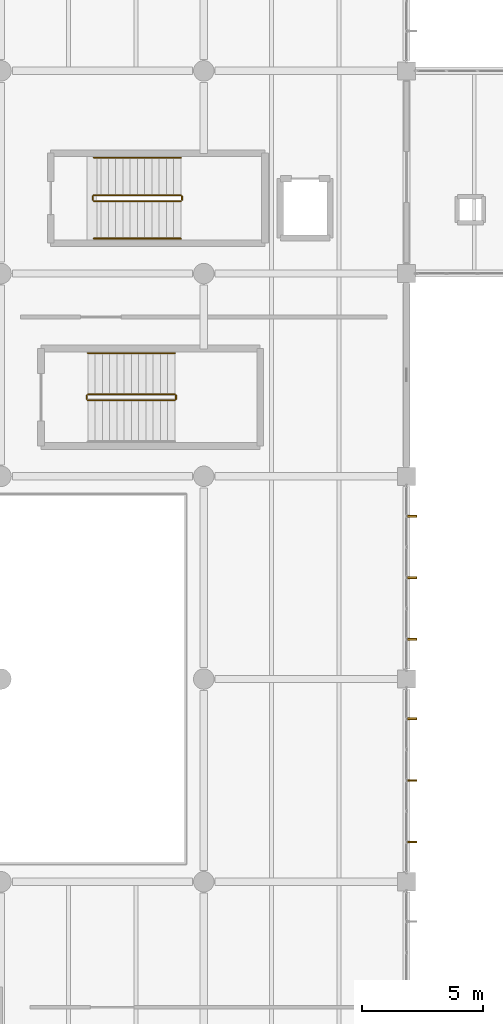
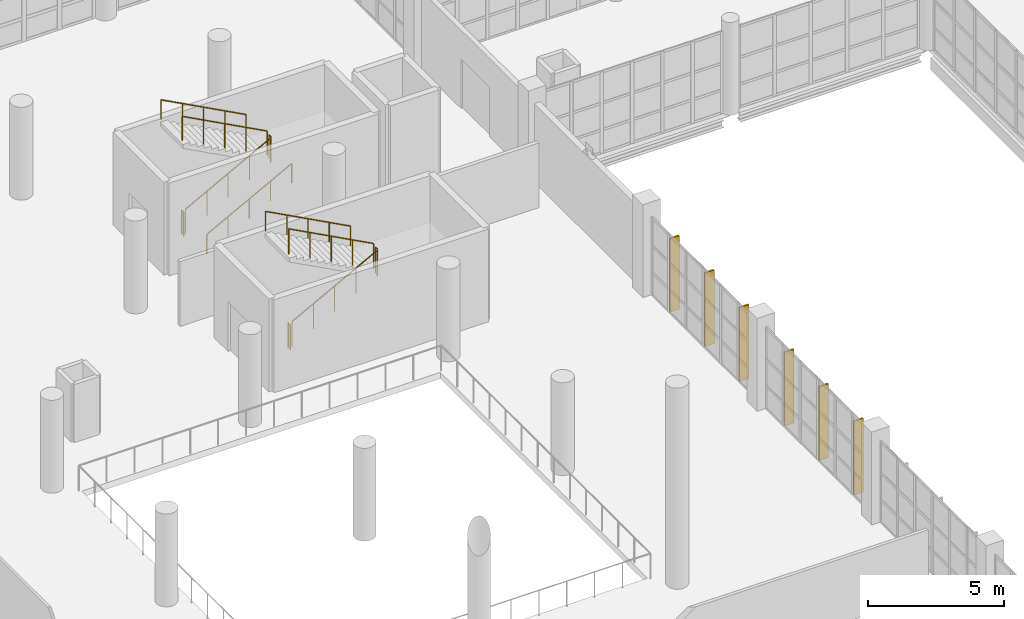
# One storey, part 167 of 177: 11 railings, 6 shading devices.
"""IFC4 building model written with IfcOpenShell, lengths in metres."""

from ifc_helpers import new_model, si_unit, direction, frame, origin, origin_2d, place, context, subcontext, project, spatial, rectangle, circle, extrude, material, type_object, element, save


model = new_model("IFC4")

# Units and contexts
model_context = context("Model", 3, precision=1e-05, world=origin(), true_north=direction((0.0, 1.0)))
body_context = subcontext(model_context, "Body", "Model", "MODEL_VIEW")
ifc_project = project(units=[si_unit("LENGTHUNIT", "METRE"), si_unit("AREAUNIT", "SQUARE_METRE"), si_unit("VOLUMEUNIT", "CUBIC_METRE"), si_unit("PLANEANGLEUNIT", "RADIAN"), si_unit("MASSUNIT", "GRAM", prefix="KILO"), si_unit("THERMODYNAMICTEMPERATUREUNIT", "KELVIN"), si_unit("POWERUNIT", "WATT")], contexts=[model_context])

# Site, building, storey
site_placement = place(None, origin())
site = spatial("IfcSite", under=ifc_project, at=site_placement, CompositionType="ELEMENT")
building_placement = place(site_placement, origin())
building = spatial("IfcBuilding", under=site, at=building_placement, Name="Mavoryth Pier Ferry Terminal", CompositionType="ELEMENT")
storey_placement = place(building_placement, frame((0.0, 0.0, 5.43994140625)))
storey = spatial("IfcBuildingStorey", under=building, at=storey_placement, Name="L01", CompositionType="ELEMENT", Elevation=5.43994140625)

# Shading devices
ifc_material_1 = material(Name="Anodised Aluminium Solar-Shading Fin", Category="aluminium")
shading_device_type = type_object("IfcShadingDeviceType", Name="Fin-BriseSoleil-400x75x3300", PredefinedType="SHUTTER", material=ifc_material_1)
for number, where, z_axis, x_axis, name in (
    (1, (33.823974609375, 65.64990234375, 0.0), (0.0, 0.0, 1.0), (0.0, 1.0, 0.0), "Solar Shading Fin 46"),
    (2, (33.823974609375, 68.199951171875, 0.0), (0.0, 0.0, 1.0), (0.0, 1.0, 0.0), "Solar Shading Fin 47"),
    (3, (33.823974609375, 70.75, 0.0), (0.0, 0.0, 1.0), (0.0, 1.0, 0.0), "Solar Shading Fin 48"),
    (4, (33.823974609375, 74.050048828125, 0.0), (0.0, 0.0, 1.0), (0.0, 1.0, 0.0), "Solar Shading Fin 58"),
    (5, (33.823974609375, 76.60009765625, 0.0), (0.0, 0.0, 1.0), (0.0, 1.0, 0.0), "Solar Shading Fin 59"),
    (6, (33.823974609375, 79.14990234375, 0.0), (0.0, 0.0, 1.0), (0.0, 1.0, 0.0), "Solar Shading Fin 60"),
):
    element("IfcShadingDevice", number, at=place(storey_placement, frame(where, z_axis=z_axis, x_axis=x_axis)), inside=storey, type_object=shading_device_type, Name=name, PredefinedType="SHUTTER", context=body_context, shape_type="SweptSolid", body=[
        extrude(rectangle(XDim=0.074951171875, YDim=0.39990234375, at=origin_2d()), origin(), (0.0, 0.0, 1.0), 3.300048828125),
    ])

# Railings
ifc_material_2 = material(Name="Bronze-Anodised Aluminium and Glass Balustrade", Category="aluminium")
railing_type_1 = type_object("IfcRailingType", Name="Guard-Atrium-Bronze1150", PredefinedType="GUARDRAIL", material=ifc_material_2)
railing_1_placement = place(storey_placement, frame((20.39990234375, 83.949951171875, 0.16015625)))
element("IfcRailing", 7, at=railing_1_placement, inside=storey, type_object=railing_type_1, Name="L01 ST14 stair guard 1", PredefinedType="GUARDRAIL", context=body_context, shape_type="SweptSolid", body=[
    extrude(circle(Radius=0.02392578125, at=origin_2d()), frame((0.0, 0.0, 1.1259765625), z_axis=(0.882366192074, 0.0, 0.470563389019), x_axis=(0.0, 1.0, 0.0)), (0.0, 0.0, 1.0), 4.080078125),
    extrude(circle(Radius=0.02099609375, at=origin_2d()), origin(), (0.0, 0.0, 1.0), 1.101806640625),
    extrude(circle(Radius=0.02099609375, at=origin_2d()), frame((0.89990234375, 0.0, 0.47998046875)), (0.0, 0.0, 1.0), 1.101806640625),
    extrude(circle(Radius=0.02099609375, at=origin_2d()), frame((1.800048828125, 0.0, 0.9599609375)), (0.0, 0.0, 1.0), 1.101806640625),
    extrude(circle(Radius=0.02099609375, at=origin_2d()), frame((2.7001953125, 0.0, 1.43994140625)), (0.0, 0.0, 1.0), 1.101806640625),
    extrude(circle(Radius=0.02099609375, at=origin_2d()), frame((3.60009765625, 0.0, 1.919921875)), (0.0, 0.0, 1.0), 1.101806640625),
])
railing_2_placement = place(storey_placement, frame((24.050048828125, 84.0, 2.080078125)))
element("IfcRailing", 8, at=railing_2_placement, inside=storey, type_object=railing_type_1, Name="L01 ST14 stair guard 2", PredefinedType="GUARDRAIL", context=body_context, shape_type="SweptSolid", body=[
    extrude(circle(Radius=0.02392578125, at=origin_2d()), frame((0.0, 0.0, 1.1259765625), z_axis=(0.0, 1.0, 0.0), x_axis=(-1.0, 0.0, 0.0)), (0.0, 0.0, 1.0), 0.14990234375),
    extrude(circle(Radius=0.02099609375, at=origin_2d()), origin(), (0.0, 0.0, 1.0), 1.101806640625),
    extrude(circle(Radius=0.02099609375, at=origin_2d()), frame((0.0, 0.14990234375, 0.0)), (0.0, 0.0, 1.0), 1.101806640625),
])
railing_3_placement = place(storey_placement, frame((24.0, 84.199951171875, 2.239990234375)))
element("IfcRailing", 9, at=railing_3_placement, inside=storey, type_object=railing_type_1, Name="L01 ST14 stair guard 3", PredefinedType="GUARDRAIL", context=body_context, shape_type="SweptSolid", body=[
    extrude(circle(Radius=0.02392578125, at=origin_2d()), frame((0.0, 0.0, 1.1259765625), z_axis=(-0.882341346394, 0.0, 0.470609974867), x_axis=(0.0, -1.0, 0.0)), (0.0, 0.0, 1.0), 4.080078125),
    extrude(circle(Radius=0.02099609375, at=origin_2d()), origin(), (0.0, 0.0, 1.0), 1.101806640625),
    extrude(circle(Radius=0.02099609375, at=origin_2d()), frame((-0.89990234375, 0.0, 0.47998046875)), (0.0, 0.0, 1.0), 1.101806640625),
    extrude(circle(Radius=0.02099609375, at=origin_2d()), frame((-1.800048828125, 0.0, 0.9599609375)), (0.0, 0.0, 1.0), 1.101806640625),
    extrude(circle(Radius=0.02099609375, at=origin_2d()), frame((-2.7001953125, 0.0, 1.440185546875)), (0.0, 0.0, 1.0), 1.101806640625),
    extrude(circle(Radius=0.02099609375, at=origin_2d()), frame((-3.60009765625, 0.0, 1.920166015625)), (0.0, 0.0, 1.0), 1.101806640625),
])
railing_4_placement = place(storey_placement, frame((20.35009765625, 84.0, 0.0)))
element("IfcRailing", 10, at=railing_4_placement, inside=storey, type_object=railing_type_1, Name="L01 ST14 stair guard 4", PredefinedType="GUARDRAIL", context=body_context, shape_type="SweptSolid", body=[
    extrude(circle(Radius=0.02392578125, at=origin_2d()), frame((0.0, 0.0, 1.1259765625), z_axis=(0.0, 1.0, 0.0), x_axis=(-1.0, 0.0, 0.0)), (0.0, 0.0, 1.0), 0.14990234375),
    extrude(circle(Radius=0.02099609375, at=origin_2d()), origin(), (0.0, 0.0, 1.0), 1.101806640625),
    extrude(circle(Radius=0.02099609375, at=origin_2d()), frame((0.0, 0.14990234375, 0.0)), (0.0, 0.0, 1.0), 1.101806640625),
])
ifc_material_3 = material(Name="Painted Galvanised Steel Balustrade", Category="steel")
railing_type_2 = type_object("IfcRailingType", Name="Guard-Stair-Steel1100", PredefinedType="GUARDRAIL", material=ifc_material_3)
railing_5_placement = place(storey_placement, frame((20.64990234375, 92.199951171875, 0.16015625)))
element("IfcRailing", 11, at=railing_5_placement, inside=storey, type_object=railing_type_2, Name="L01 ST02 stair guard 1", PredefinedType="GUARDRAIL", context=body_context, shape_type="SweptSolid", body=[
    extrude(circle(Radius=0.02392578125, at=origin_2d()), frame((0.0, 0.0, 1.076171875), z_axis=(0.882366192074, 0.0, 0.470563389019), x_axis=(0.0, 1.0, 0.0)), (0.0, 0.0, 1.0), 4.080078125),
    extrude(circle(Radius=0.02099609375, at=origin_2d()), origin(), (0.0, 0.0, 1.0), 1.052001953125),
    extrude(circle(Radius=0.02099609375, at=origin_2d()), frame((0.89990234375, 0.0, 0.47998046875)), (0.0, 0.0, 1.0), 1.052001953125),
    extrude(circle(Radius=0.02099609375, at=origin_2d()), frame((1.800048828125, 0.0, 0.9599609375)), (0.0, 0.0, 1.0), 1.052001953125),
    extrude(circle(Radius=0.02099609375, at=origin_2d()), frame((2.7001953125, 0.0, 1.43994140625)), (0.0, 0.0, 1.0), 1.052001953125),
    extrude(circle(Radius=0.02099609375, at=origin_2d()), frame((3.60009765625, 0.0, 1.919921875)), (0.0, 0.0, 1.0), 1.052001953125),
])
railing_6_placement = place(storey_placement, frame((24.300048828125, 92.25, 2.080078125)))
element("IfcRailing", 12, at=railing_6_placement, inside=storey, type_object=railing_type_2, Name="L01 ST02 stair guard 2", PredefinedType="GUARDRAIL", context=body_context, shape_type="SweptSolid", body=[
    extrude(circle(Radius=0.02392578125, at=origin_2d()), frame((0.0, 0.0, 1.076171875), z_axis=(0.0, 1.0, 0.0), x_axis=(-1.0, 0.0, 0.0)), (0.0, 0.0, 1.0), 0.14990234375),
    extrude(circle(Radius=0.02099609375, at=origin_2d()), origin(), (0.0, 0.0, 1.0), 1.052001953125),
    extrude(circle(Radius=0.02099609375, at=origin_2d()), frame((0.0, 0.14990234375, 0.0)), (0.0, 0.0, 1.0), 1.052001953125),
])
railing_7_placement = place(storey_placement, frame((24.25, 92.449951171875, 2.239990234375)))
element("IfcRailing", 13, at=railing_7_placement, inside=storey, type_object=railing_type_2, Name="L01 ST02 stair guard 3", PredefinedType="GUARDRAIL", context=body_context, shape_type="SweptSolid", body=[
    extrude(circle(Radius=0.02392578125, at=origin_2d()), frame((0.0, 0.0, 1.076171875), z_axis=(-0.882341346394, 0.0, 0.470609974867), x_axis=(0.0, -1.0, 0.0)), (0.0, 0.0, 1.0), 4.080078125),
    extrude(circle(Radius=0.02099609375, at=origin_2d()), origin(), (0.0, 0.0, 1.0), 1.052001953125),
    extrude(circle(Radius=0.02099609375, at=origin_2d()), frame((-0.89990234375, 0.0, 0.47998046875)), (0.0, 0.0, 1.0), 1.052001953125),
    extrude(circle(Radius=0.02099609375, at=origin_2d()), frame((-1.800048828125, 0.0, 0.9599609375)), (0.0, 0.0, 1.0), 1.052001953125),
    extrude(circle(Radius=0.02099609375, at=origin_2d()), frame((-2.7001953125, 0.0, 1.440185546875)), (0.0, 0.0, 1.0), 1.052001953125),
    extrude(circle(Radius=0.02099609375, at=origin_2d()), frame((-3.60009765625, 0.0, 1.920166015625)), (0.0, 0.0, 1.0), 1.052001953125),
])
railing_8_placement = place(storey_placement, frame((20.60009765625, 92.25, 0.0)))
element("IfcRailing", 14, at=railing_8_placement, inside=storey, type_object=railing_type_2, Name="L01 ST02 stair guard 4", PredefinedType="GUARDRAIL", context=body_context, shape_type="SweptSolid", body=[
    extrude(circle(Radius=0.02392578125, at=origin_2d()), frame((0.0, 0.0, 1.076171875), z_axis=(0.0, 1.0, 0.0), x_axis=(-1.0, 0.0, 0.0)), (0.0, 0.0, 1.0), 0.14990234375),
    extrude(circle(Radius=0.02099609375, at=origin_2d()), origin(), (0.0, 0.0, 1.0), 1.052001953125),
    extrude(circle(Radius=0.02099609375, at=origin_2d()), frame((0.0, 0.14990234375, 0.0)), (0.0, 0.0, 1.0), 1.052001953125),
])
ifc_material_4 = material(Name="Brushed Stainless Steel Tubular Handrail", Category="steel")
railing_type_3 = type_object("IfcRailingType", Name="Handrail-Stair-SS900", PredefinedType="HANDRAIL", material=ifc_material_4)
railing_9_placement = place(storey_placement, frame((20.64990234375, 90.64990234375, 0.16015625)))
element("IfcRailing", 15, at=railing_9_placement, inside=storey, type_object=railing_type_3, Name="L01 ST02 stair handrail 1", PredefinedType="HANDRAIL", context=body_context, shape_type="SweptSolid", body=[
    extrude(circle(Radius=0.02392578125, at=origin_2d()), frame((0.0, 0.0, 0.8759765625), z_axis=(0.882366192074, 0.0, 0.470563389019), x_axis=(0.0, 1.0, 0.0)), (0.0, 0.0, 1.0), 4.080078125),
    extrude(circle(Radius=0.02099609375, at=origin_2d()), origin(), (0.0, 0.0, 1.0), 0.851806640625),
    extrude(circle(Radius=0.02099609375, at=origin_2d()), frame((0.89990234375, 0.0, 0.47998046875)), (0.0, 0.0, 1.0), 0.851806640625),
    extrude(circle(Radius=0.02099609375, at=origin_2d()), frame((1.800048828125, 0.0, 0.9599609375)), (0.0, 0.0, 1.0), 0.851806640625),
    extrude(circle(Radius=0.02099609375, at=origin_2d()), frame((2.7001953125, 0.0, 1.43994140625)), (0.0, 0.0, 1.0), 0.851806640625),
    extrude(circle(Radius=0.02099609375, at=origin_2d()), frame((3.60009765625, 0.0, 1.919921875)), (0.0, 0.0, 1.0), 0.851806640625),
])
for number, where, name in (
    (16, (24.25, 94.0, 2.239990234375), "L01 ST02 stair handrail 2"),
    (17, (24.0, 85.89990234375, 2.239990234375), "L01 ST14 stair handrail 2"),
):
    element("IfcRailing", number, at=place(storey_placement, frame(where)), inside=storey, type_object=railing_type_3, Name=name, PredefinedType="HANDRAIL", context=body_context, shape_type="SweptSolid", body=[
        extrude(circle(Radius=0.02392578125, at=origin_2d()), frame((0.0, 0.0, 0.8759765625), z_axis=(-0.882341346394, 0.0, 0.470609974867), x_axis=(0.0, -1.0, 0.0)), (0.0, 0.0, 1.0), 4.080078125),
        extrude(circle(Radius=0.02099609375, at=origin_2d()), origin(), (0.0, 0.0, 1.0), 0.851806640625),
        extrude(circle(Radius=0.02099609375, at=origin_2d()), frame((-0.89990234375, 0.0, 0.47998046875)), (0.0, 0.0, 1.0), 0.851806640625),
        extrude(circle(Radius=0.02099609375, at=origin_2d()), frame((-1.800048828125, 0.0, 0.9599609375)), (0.0, 0.0, 1.0), 0.851806640625),
        extrude(circle(Radius=0.02099609375, at=origin_2d()), frame((-2.7001953125, 0.0, 1.440185546875)), (0.0, 0.0, 1.0), 0.851806640625),
        extrude(circle(Radius=0.02099609375, at=origin_2d()), frame((-3.60009765625, 0.0, 1.920166015625)), (0.0, 0.0, 1.0), 0.851806640625),
    ])

save(model, "model.ifc")
